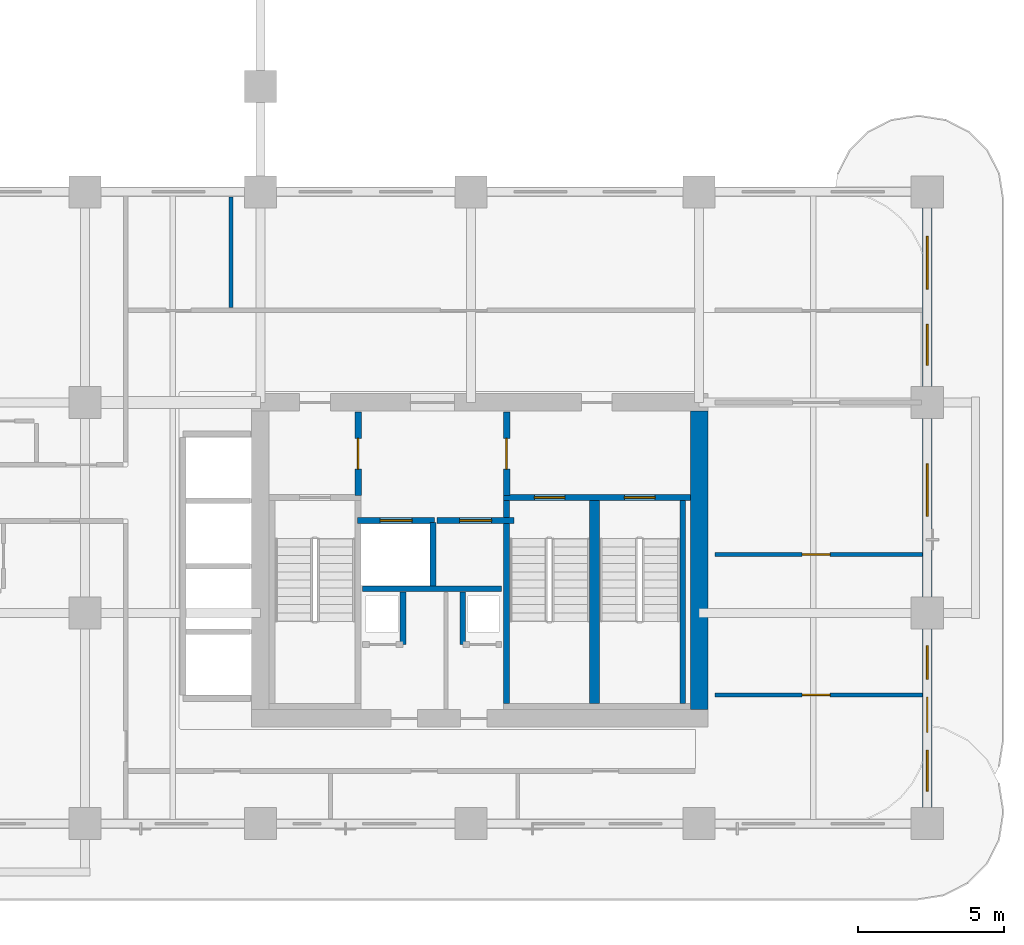
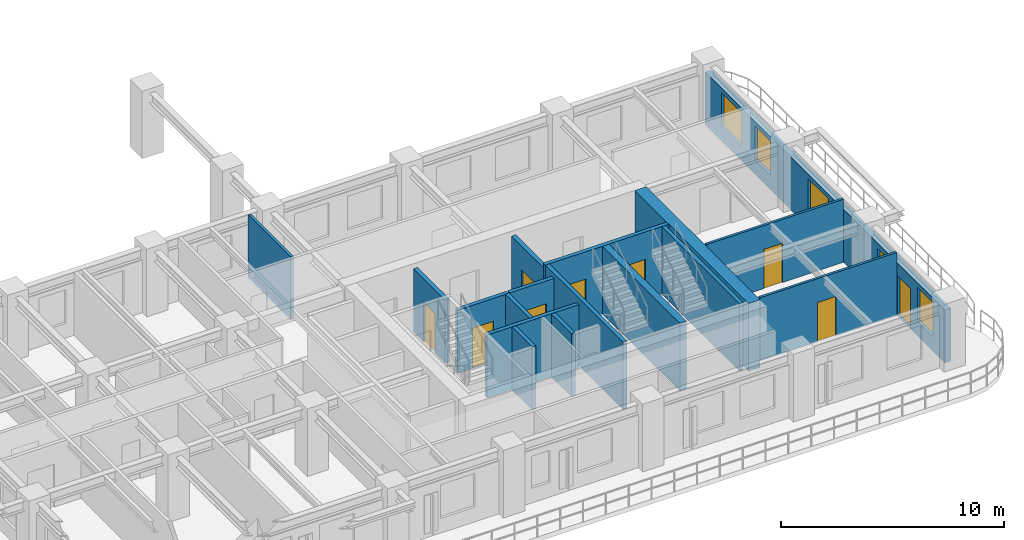
# One storey, part 9 of 19: 17 walls, 9 doors, 5 windows, 14 openings.
"""IFC4 building model written with IfcOpenShell, lengths in metres."""

import ifcopenshell
import ifcopenshell.guid

model = None  # the IFC model being written
_history = None  # IfcOwnerHistory: only IFC2X3 demands one
_inside = {}  # id of a spatial element -> (the spatial element, [elements in it])
_under = {}  # id of a project, library or spatial element -> (it, [spatial elements below it])
_declared = {}  # id of a project -> (the project, [libraries it declares])
_typed = {}  # id of a type object -> (the type object, [elements of that type])
_made_of = {}  # id of a material, layer set ... -> (it, [elements and type objects made of it])


def new_model(schema):
    """Start an empty IFC model of exactly this schema.

    Asked for "IFC4X3", IfcOpenShell would pick the latest addendum, in which some entities
    have other attributes; the version numbers below select the first issue.
    IFC2X3 requires an IfcOwnerHistory on every rooted entity: one is made here for all.
    """
    global model, _history
    if schema == "IFC4X3":
        model = ifcopenshell.file(schema_version=(4, 3, 0, 0))
    else:
        model = ifcopenshell.file(schema=schema)
    _inside.clear()
    _under.clear()
    _declared.clear()
    _typed.clear()
    _made_of.clear()
    _history = None
    if model.schema == "IFC2X3":
        org = make("IfcOrganization", Name="unknown")
        user = make(
            "IfcPersonAndOrganization",
            ThePerson=make("IfcPerson", FamilyName="unknown"),
            TheOrganization=org,
        )
        app = make(
            "IfcApplication",
            ApplicationDeveloper=org,
            Version="unknown",
            ApplicationFullName="unknown",
            ApplicationIdentifier="unknown",
        )
        _history = make(
            "IfcOwnerHistory",
            OwningUser=user,
            OwningApplication=app,
            ChangeAction="ADDED",
            CreationDate=0,
        )
    return model


def make(cls, **values):
    """One entity of the class cls with the attributes given. An attribute that is None is left unset."""
    return model.create_entity(
        cls, **{name: value for name, value in values.items() if value is not None}
    )


def rooted(cls, **values):
    """An entity with a GlobalId (a new one), such as an element, a storey or a relation."""
    return make(cls, GlobalId=ifcopenshell.guid.new(), OwnerHistory=_history, **values)


def si_unit(unit_type, name, prefix=None):
    """IfcSIUnit, for example si_unit("LENGTHUNIT", "METRE", prefix="MILLI")."""
    return make("IfcSIUnit", UnitType=unit_type, Prefix=prefix, Name=name)


def derived_unit(unit_type, elements):
    """IfcDerivedUnit: a product of units, each with its exponent."""
    return make(
        "IfcDerivedUnit",
        Elements=[
            make("IfcDerivedUnitElement", Unit=unit, Exponent=power)
            for unit, power in elements
        ],
        UnitType=unit_type,
    )


def assignment(units):
    """IfcUnitAssignment: the units of a project."""
    return None if units is None else make("IfcUnitAssignment", Units=units)


def point(xyz):
    """IfcCartesianPoint."""
    return None if xyz is None else make("IfcCartesianPoint", Coordinates=xyz)


def direction(xyz):
    """IfcDirection."""
    return None if xyz is None else make("IfcDirection", DirectionRatios=xyz)


def frame(location, z_axis=None, x_axis=None):
    """IfcAxis2Placement3D, a coordinate frame: its origin and axes. An axis left out is left unset."""
    return make(
        "IfcAxis2Placement3D",
        Location=point(location),
        Axis=direction(z_axis),
        RefDirection=direction(x_axis),
    )


def frame_2d(location, x_axis=None):
    """IfcAxis2Placement2D, a coordinate frame in the plane: its origin and x axis."""
    return make(
        "IfcAxis2Placement2D", Location=point(location), RefDirection=direction(x_axis)
    )


def origin():
    """The frame at (0, 0, 0) with its axes left unset."""
    return frame((0.0, 0.0, 0.0))


def place(relative_to, where):
    """IfcLocalPlacement: puts the frame where relative to a parent placement (None: the world)."""
    return make(
        "IfcLocalPlacement", PlacementRelTo=relative_to, RelativePlacement=where
    )


def context(
    kind, dimensions, precision=None, world=None, true_north=None, identifier=None
):
    """IfcGeometricRepresentationContext, for example the 3D "Model" context."""
    return make(
        "IfcGeometricRepresentationContext",
        ContextIdentifier=identifier,
        ContextType=kind,
        CoordinateSpaceDimension=dimensions,
        Precision=precision,
        WorldCoordinateSystem=world,
        TrueNorth=true_north,
    )


def subcontext(parent, identifier, kind, view, scale=None):
    """IfcGeometricRepresentationSubContext, for example "Body" below "Model"."""
    return make(
        "IfcGeometricRepresentationSubContext",
        ContextIdentifier=identifier,
        ContextType=kind,
        ParentContext=parent,
        TargetScale=scale,
        TargetView=view,
    )


def project(units=None, contexts=None):
    """IfcProject with its units and contexts."""
    return rooted(
        "IfcProject",
        Name="project",
        RepresentationContexts=contexts,
        UnitsInContext=assignment(units),
    )


def spatial(cls, under=None, at=None, **own):
    """A site, building, storey or space (cls), placed at a placement, below another one or the project."""
    s = rooted(cls, ObjectPlacement=at, **own)
    if under is not None:
        _under.setdefault(under.id(), (under, []))[1].append(s)
    return s


def profile(cls, at=None, kind="AREA", **sizes):
    """A parametric profile (cls). Its sizes go by their IFC names, for example OverallWidth=200.0."""
    return make(cls, ProfileType=kind, Position=at, **sizes)


def rectangle(**sizes):
    """IfcRectangleProfileDef."""
    return profile("IfcRectangleProfileDef", **sizes)


def extrude(swept, where, along, depth):
    """IfcExtrudedAreaSolid: the profile swept, set in the frame where, extruded along a direction by depth."""
    return make(
        "IfcExtrudedAreaSolid",
        SweptArea=swept,
        Position=where,
        ExtrudedDirection=direction(along),
        Depth=depth,
    )


def shape(context_of_items, identifier, shape_type, items):
    """IfcShapeRepresentation: the items that make up one representation, for example the "Body"."""
    return make(
        "IfcShapeRepresentation",
        ContextOfItems=context_of_items,
        RepresentationIdentifier=identifier,
        RepresentationType=shape_type,
        Items=items,
    )


def source(mapping_origin, context_of_items, identifier, shape_type, items):
    """IfcRepresentationMap: a shape defined once, which mapped items show again and again."""
    return make(
        "IfcRepresentationMap",
        MappingOrigin=mapping_origin,
        MappedRepresentation=shape(context_of_items, identifier, shape_type, items),
    )


def transform(
    local_origin,
    x_axis=None,
    y_axis=None,
    z_axis=None,
    scale=None,
    scale2=None,
    scale3=None,
    uniform=True,
):
    """IfcCartesianTransformationOperator3D, or its non-uniform kind. x_axis, y_axis, z_axis: its Axis1, 2, 3."""
    if uniform:
        return make(
            "IfcCartesianTransformationOperator3D",
            Axis1=direction(x_axis),
            Axis2=direction(y_axis),
            LocalOrigin=point(local_origin),
            Scale=scale,
            Axis3=direction(z_axis),
        )
    return make(
        "IfcCartesianTransformationOperator3DnonUniform",
        Axis1=direction(x_axis),
        Axis2=direction(y_axis),
        LocalOrigin=point(local_origin),
        Scale=scale,
        Axis3=direction(z_axis),
        Scale2=scale2,
        Scale3=scale3,
    )


def mapped(mapping_source, mapping_target):
    """IfcMappedItem: shows the shape of a source again, moved by a transform."""
    return make(
        "IfcMappedItem", MappingSource=mapping_source, MappingTarget=mapping_target
    )


def material(Name=None, Category=None):
    """IfcMaterial."""
    return make("IfcMaterial", Name=Name, Category=Category)


def layer(
    of_material, thickness, ventilated=None, Name=None, Category=None, Priority=None
):
    """IfcMaterialLayer: one layer of a wall or slab, of a material (None: an air gap)."""
    return make(
        "IfcMaterialLayer",
        Material=of_material,
        LayerThickness=thickness,
        IsVentilated=ventilated,
        Name=Name,
        Category=Category,
        Priority=Priority,
    )


def layer_set(layers, Name=None):
    """IfcMaterialLayerSet."""
    return make("IfcMaterialLayerSet", MaterialLayers=layers, LayerSetName=Name)


def made_of(thing, what):
    """Note that an element or type object is made of a material, layer set ...; save() writes the relation."""
    if what is not None:
        _made_of.setdefault(what.id(), (what, []))[1].append(thing)
    return thing


def type_object(cls, material=None, **own):
    """A type object (cls), such as IfcWallType, which elements share."""
    return made_of(rooted(cls, **own), material)


def type_shapes(of_type, sources):
    """Give a type object the sources (RepresentationMaps) that its elements show as mapped items."""
    of_type.RepresentationMaps = sources


def element(
    cls,
    number,
    at=None,
    inside=None,
    cuts=None,
    type_object=None,
    material=None,
    context=None,
    identifier="Body",
    shape_type=None,
    held_by="IfcProductDefinitionShape",
    body=None,
    shapes=None,
    **own,
):
    """One element of the class cls, such as IfcWall. Its Tag is "e" and its number.

    at: its placement. inside: the storey or other place that contains it. cuts: it is an
    opening in that element (IfcRelVoidsElement). A single representation is given by context,
    identifier, shape_type and body (its items); several are given by shapes. held_by: the class
    of the entity that holds the representations. save() writes the other relations.
    """
    e = rooted(cls, Tag="e%d" % number, ObjectPlacement=at, **own)
    if body is not None:
        shapes = [shape(context, identifier, shape_type, body)]
    if shapes is not None:
        e.Representation = make(held_by, Representations=shapes)
    if inside is not None:
        _inside.setdefault(inside.id(), (inside, []))[1].append(e)
    if cuts is not None:
        rooted(
            "IfcRelVoidsElement", RelatingBuildingElement=cuts, RelatedOpeningElement=e
        )
    if type_object is not None:
        _typed.setdefault(type_object.id(), (type_object, []))[1].append(e)
    return made_of(e, material)


def fill(opening, filler):
    """IfcRelFillsElement: the door or window that sits in an opening."""
    return rooted(
        "IfcRelFillsElement",
        RelatingOpeningElement=opening,
        RelatedBuildingElement=filler,
    )


def aggregate(whole, parts):
    """IfcRelAggregates: a whole, such as a stair, and the parts it consists of."""
    return rooted("IfcRelAggregates", RelatingObject=whole, RelatedObjects=parts)


def save(model, path):
    """Write the relations noted so far, then the file.

    IfcRelAggregates (storeys below a building ...), IfcRelContainedInSpatialStructure (elements
    in a storey), IfcRelDefinesByType, IfcRelAssociatesMaterial and IfcRelDeclares: one each for
    every whole, place, type object, material and project.
    """
    for whole, parts in _under.values():
        aggregate(whole, parts)
    for where, things in _inside.values():
        rooted(
            "IfcRelContainedInSpatialStructure",
            RelatedElements=things,
            RelatingStructure=where,
        )
    for kind, things in _typed.values():
        rooted("IfcRelDefinesByType", RelatedObjects=things, RelatingType=kind)
    for what, things in _made_of.values():
        rooted("IfcRelAssociatesMaterial", RelatedObjects=things, RelatingMaterial=what)
    for by, libraries in _declared.values():
        rooted("IfcRelDeclares", RelatingContext=by, RelatedDefinitions=libraries)
    model.write(path)


model = new_model("IFC4")

# Units and contexts
model_context = context("Model", 3, precision=1e-05, world=origin(), true_north=direction((0.0, 1.0)))
body_context = subcontext(model_context, "Body", "Model", "MODEL_VIEW")
ifc_project = project(units=[si_unit("LENGTHUNIT", "METRE"), si_unit("AREAUNIT", "SQUARE_METRE"), si_unit("VOLUMEUNIT", "CUBIC_METRE"), si_unit("PLANEANGLEUNIT", "RADIAN"), si_unit("MASSUNIT", "GRAM", prefix="KILO"), si_unit("THERMODYNAMICTEMPERATUREUNIT", "KELVIN"), si_unit("POWERUNIT", "WATT"), derived_unit("THERMALTRANSMITTANCEUNIT", [(si_unit("POWERUNIT", "WATT"), 1), (si_unit("AREAUNIT", "SQUARE_METRE"), -1), (si_unit("THERMODYNAMICTEMPERATUREUNIT", "KELVIN"), -1)])], contexts=[model_context])

# Site, building, storey
site_placement = place(None, origin())
site = spatial("IfcSite", under=ifc_project, at=site_placement, CompositionType="ELEMENT")
building_placement = place(site_placement, origin())
building = spatial("IfcBuilding", under=site, at=building_placement, Name="Zahravan Archway Hotel and Residences", CompositionType="ELEMENT")
storey_placement = place(building_placement, frame((0.0, 0.0, 54.60009765625)))
storey = spatial("IfcBuildingStorey", under=building, at=storey_placement, Name="L12", CompositionType="ELEMENT", Elevation=54.60009765625)

# Wall
ifc_material_1 = material(Name="Concrete C70/85", Category="concrete")
ifc_layer_1 = layer(ifc_material_1, 0.60009765625, Name="Concrete C70/85", Category="concrete")
ifc_layer_set_1 = layer_set([ifc_layer_1], Name="Concrete C70/85")
wall_type_1 = type_object("IfcWallType", Name="CW-CORE-600", PredefinedType="SHEAR", material=ifc_layer_set_1)
wall_1_placement = place(storey_placement, frame((49.800048828125, 3.89990234375, 0.0), z_axis=(0.0, 0.0, 1.0), x_axis=(0.0, 1.0, 0.0)))
element("IfcWall", 1, at=wall_1_placement, inside=storey, type_object=wall_type_1, Name="L12 Core A Shear E Wall 600 mm", PredefinedType="SHEAR", context=body_context, shape_type="SweptSolid", body=[
    extrude(rectangle(XDim=10.2001953125, YDim=0.60009765625, at=frame_2d((5.10009765625, 0.0))), origin(), (0.0, 0.0, 1.0), 3.699951171875),
])

# Wall, openings, door, windows
ifc_material_2 = material(Name="Agra Buff Sandstone & Insulated Backup", Category="masonry")
ifc_layer_2 = layer(ifc_material_2, 0.320068359375, Name="Agra Buff Sandstone & Insulated Backup", Category="masonry")
ifc_layer_set_2 = layer_set([ifc_layer_2], Name="Agra Buff Sandstone & Insulated Backup")
wall_type_2 = type_object("IfcWallType", Name="EW-SAND-320", PredefinedType="SOLIDWALL", material=ifc_layer_set_2)
wall_2_placement = place(storey_placement, frame((57.60009765625, 0.050048828125, 0.0), z_axis=(0.0, 0.0, 1.0), x_axis=(0.0, 1.0, 0.0)))
wall_2 = element("IfcWall", 2, at=wall_2_placement, inside=storey, type_object=wall_type_2, Name="L12 Exterior Sandstone Wall WA-E", PredefinedType="SOLIDWALL", context=body_context, shape_type="SweptSolid", body=[
    extrude(rectangle(XDim=21.5, YDim=0.320068359375, at=frame_2d((10.75, 0.0))), origin(), (0.0, 0.0, 1.0), 2.885009765625),
])
opening_1_placement = place(wall_2_placement, frame((3.072021484375, 0.0, 0.0)))
opening_1 = element("IfcOpeningElement", 3, at=opening_1_placement, cuts=wall_2, Name="Opening ED-BL1", PredefinedType="OPENING", context=body_context, shape_type="SweptSolid", body=[
    extrude(rectangle(XDim=1.199951171875, YDim=2.199951171875, at=frame_2d((0.60009765625, 1.10009765625))), frame((0.0, 0.169921875, 0.0), z_axis=(0.0, -1.0, 0.0), x_axis=(1.0, 0.0, 0.0)), (0.0, 0.0, 1.0), 0.340087890625),
])
opening_2_placement = place(wall_2_placement, frame((1.06103515625, 0.0, 0.800048828125)))
opening_2 = element("IfcOpeningElement", 4, at=opening_2_placement, cuts=wall_2, Name="Opening W-03", PredefinedType="OPENING", context=body_context, shape_type="SweptSolid", body=[
    extrude(rectangle(XDim=1.39990234375, YDim=1.85009765625, at=frame_2d((0.699951171875, 0.925048828125))), frame((0.0, 0.169921875, 0.0), z_axis=(0.0, -1.0, 0.0), x_axis=(1.0, 0.0, 0.0)), (0.0, 0.0, 1.0), 0.340087890625),
])
opening_3_placement = place(wall_2_placement, frame((4.885986328125, 0.0, 0.800048828125)))
opening_3 = element("IfcOpeningElement", 5, at=opening_3_placement, cuts=wall_2, Name="Opening W-05", PredefinedType="OPENING", context=body_context, shape_type="SweptSolid", body=[
    extrude(rectangle(XDim=1.14990234375, YDim=1.800048828125, at=frame_2d((0.574951171875, 0.89990234375))), frame((0.0, 0.169921875, 0.0), z_axis=(0.0, -1.0, 0.0), x_axis=(1.0, 0.0, 0.0)), (0.0, 0.0, 1.0), 0.340087890625),
])
opening_4_placement = place(wall_2_placement, frame((10.4541015625, 0.0, 0.800048828125)))
opening_4 = element("IfcOpeningElement", 6, at=opening_4_placement, cuts=wall_2, Name="Opening W-02", PredefinedType="OPENING", context=body_context, shape_type="SweptSolid", body=[
    extrude(rectangle(XDim=1.800048828125, YDim=1.85009765625, at=frame_2d((0.89990234375, 0.925048828125))), frame((0.0, 0.169921875, 0.0), z_axis=(0.0, -1.0, 0.0), x_axis=(1.0, 0.0, 0.0)), (0.0, 0.0, 1.0), 0.340087890625),
])
opening_5_placement = place(wall_2_placement, frame((15.62109375, 0.0, 0.800048828125)))
opening_5 = element("IfcOpeningElement", 7, at=opening_5_placement, cuts=wall_2, Name="Opening W-03", PredefinedType="OPENING", context=body_context, shape_type="SweptSolid", body=[
    extrude(rectangle(XDim=1.39990234375, YDim=1.85009765625, at=frame_2d((0.699951171875, 0.925048828125))), frame((0.0, 0.169921875, 0.0), z_axis=(0.0, -1.0, 0.0), x_axis=(1.0, 0.0, 0.0)), (0.0, 0.0, 1.0), 0.340087890625),
])
opening_6_placement = place(wall_2_placement, frame((18.22900390625, 0.0, 0.800048828125)))
opening_6 = element("IfcOpeningElement", 8, at=opening_6_placement, cuts=wall_2, Name="Opening W-02", PredefinedType="OPENING", context=body_context, shape_type="SweptSolid", body=[
    extrude(rectangle(XDim=1.800048828125, YDim=1.85009765625, at=frame_2d((0.89990234375, 0.925048828125))), frame((0.0, 0.169921875, 0.0), z_axis=(0.0, -1.0, 0.0), x_axis=(1.0, 0.0, 0.0)), (0.0, 0.0, 1.0), 0.340087890625),
])
ifc_material_3 = material(Name="Bronze-Anodized Glazed Aluminium", Category="aluminium")
door_type_1 = type_object("IfcDoorType", Name="ED-BALC-1200", OperationType="SLIDING_TO_LEFT", PredefinedType="DOOR", material=ifc_material_3)
shared_shape_1 = source(origin(), body_context, "Body", "SweptSolid", [
    extrude(rectangle(XDim=1.199951171875, YDim=2.199951171875, at=frame_2d((0.60009765625, 1.10009765625))), frame((0.0, 0.02490234375, 0.0), z_axis=(0.0, -1.0, 0.0), x_axis=(1.0, 0.0, 0.0)), (0.0, 0.0, 1.0), 0.050048828125),
])
type_shapes(door_type_1, [shared_shape_1])
door_1_placement = place(opening_1_placement, origin())
door_1 = element("IfcDoor", 9, at=door_1_placement, inside=storey, type_object=door_type_1, Name="L12 Outdoor Access Sliding Door (SLB-BAL-L12-EA)", OperationType="SLIDING_TO_LEFT", OverallHeight=2.199951171875, OverallWidth=1.199951171875, PredefinedType="DOOR", context=body_context, shape_type="MappedRepresentation", body=[
    mapped(shared_shape_1, transform((0.0, 0.0, 0.0), scale=1.0)),
])
fill(opening_1, door_1)
ifc_material_4 = material(Name="Bronze-Anodized Thermal-Break Aluminium & Low-E Glass", Category="aluminium")
window_type_1 = type_object("IfcWindowType", Name="WIN-TWR-1400", PartitioningType="SINGLE_PANEL", PredefinedType="WINDOW", material=ifc_material_4)
shared_shape_2 = source(origin(), body_context, "Body", "SweptSolid", [
    extrude(rectangle(XDim=1.39990234375, YDim=1.85009765625, at=frame_2d((0.699951171875, 0.925048828125))), frame((0.0, 0.030029296875, 0.0), z_axis=(0.0, -1.0, 0.0), x_axis=(1.0, 0.0, 0.0)), (0.0, 0.0, 1.0), 0.06005859375),
])
type_shapes(window_type_1, [shared_shape_2])
window_1_placement = place(opening_2_placement, origin())
window_1 = element("IfcWindow", 10, at=window_1_placement, inside=storey, type_object=window_type_1, Name="L12 Loggia Window 11", OverallHeight=1.85009765625, OverallWidth=1.39990234375, PartitioningType="SINGLE_PANEL", PredefinedType="WINDOW", context=body_context, shape_type="MappedRepresentation", body=[
    mapped(shared_shape_2, transform((0.0, 0.0, 0.0), scale=1.0)),
])
fill(opening_2, window_1)
window_2_placement = place(opening_5_placement, origin())
window_2 = element("IfcWindow", 11, at=window_2_placement, inside=storey, type_object=window_type_1, Name="L12 Loggia Window 14", OverallHeight=1.85009765625, OverallWidth=1.39990234375, PartitioningType="SINGLE_PANEL", PredefinedType="WINDOW", context=body_context, shape_type="MappedRepresentation", body=[
    mapped(shared_shape_2, transform((0.0, 0.0, 0.0), scale=1.0)),
])
fill(opening_5, window_2)
window_type_2 = type_object("IfcWindowType", Name="WIN-TWR-1800", PartitioningType="DOUBLE_PANEL_VERTICAL", PredefinedType="WINDOW", material=ifc_material_4)
shared_shape_3 = source(origin(), body_context, "Body", "SweptSolid", [
    extrude(rectangle(XDim=1.800048828125, YDim=1.85009765625, at=frame_2d((0.89990234375, 0.925048828125))), frame((0.0, 0.030029296875, 0.0), z_axis=(0.0, -1.0, 0.0), x_axis=(1.0, 0.0, 0.0)), (0.0, 0.0, 1.0), 0.06005859375),
])
type_shapes(window_type_2, [shared_shape_3])
window_3_placement = place(opening_4_placement, origin())
window_3 = element("IfcWindow", 12, at=window_3_placement, inside=storey, type_object=window_type_2, Name="L12 Loggia Window 13", OverallHeight=1.85009765625, OverallWidth=1.800048828125, PartitioningType="DOUBLE_PANEL_VERTICAL", PredefinedType="WINDOW", context=body_context, shape_type="MappedRepresentation", body=[
    mapped(shared_shape_3, transform((0.0, 0.0, 0.0), scale=1.0)),
])
fill(opening_4, window_3)
window_4_placement = place(opening_6_placement, origin())
window_4 = element("IfcWindow", 13, at=window_4_placement, inside=storey, type_object=window_type_2, Name="L12 Loggia Window 15", OverallHeight=1.85009765625, OverallWidth=1.800048828125, PartitioningType="DOUBLE_PANEL_VERTICAL", PredefinedType="WINDOW", context=body_context, shape_type="MappedRepresentation", body=[
    mapped(shared_shape_3, transform((0.0, 0.0, 0.0), scale=1.0)),
])
fill(opening_6, window_4)
window_type_3 = type_object("IfcWindowType", Name="WIN-TWR-1150", PartitioningType="SINGLE_PANEL", PredefinedType="WINDOW", material=ifc_material_4)
shared_shape_4 = source(origin(), body_context, "Body", "SweptSolid", [
    extrude(rectangle(XDim=1.14990234375, YDim=1.800048828125, at=frame_2d((0.574951171875, 0.89990234375))), frame((0.0, 0.030029296875, 0.0), z_axis=(0.0, -1.0, 0.0), x_axis=(1.0, 0.0, 0.0)), (0.0, 0.0, 1.0), 0.06005859375),
])
type_shapes(window_type_3, [shared_shape_4])
window_5_placement = place(opening_3_placement, origin())
window_5 = element("IfcWindow", 14, at=window_5_placement, inside=storey, type_object=window_type_3, Name="L12 Loggia Window 12", OverallHeight=1.800048828125, OverallWidth=1.14990234375, PartitioningType="SINGLE_PANEL", PredefinedType="WINDOW", context=body_context, shape_type="MappedRepresentation", body=[
    mapped(shared_shape_4, transform((0.0, 0.0, 0.0), scale=1.0)),
])
fill(opening_3, window_5)

# Wall, opening, door
ifc_material_5 = material(Name="Fire-Rated Gypsum & Concrete Block", Category="concrete")
ifc_layer_3 = layer(ifc_material_5, 0.219970703125, Name="Fire-Rated Gypsum & Concrete Block", Category="concrete")
ifc_layer_set_3 = layer_set([ifc_layer_3], Name="Fire-Rated Gypsum & Concrete Block")
wall_type_3 = type_object("IfcWallType", Name="PW-COMP-220", PredefinedType="PARTITIONING", material=ifc_layer_set_3)
wall_3_placement = place(storey_placement, frame((38.139892578125, 11.219970703125, 0.0), z_axis=(0.0, 0.0, 1.0), x_axis=(0.0, 1.0, 0.0)))
wall_3 = element("IfcWall", 15, at=wall_3_placement, inside=storey, type_object=wall_type_3, Name="L12 Partition CA-LOBW", PredefinedType="PARTITIONING", context=body_context, shape_type="SweptSolid", body=[
    extrude(rectangle(XDim=2.860107421875, YDim=0.219970703125, at=frame_2d((1.43017578125, 0.0))), origin(), (0.0, 0.0, 1.0), 3.449951171875),
])
opening_7_placement = place(wall_3_placement, frame((0.905029296875, 0.0, 0.0)))
opening_7 = element("IfcOpeningElement", 16, at=opening_7_placement, cuts=wall_3, Name="Opening FD-L2", PredefinedType="OPENING", context=body_context, shape_type="SweptSolid", body=[
    extrude(rectangle(XDim=1.050048828125, YDim=2.14990234375, at=frame_2d((0.52490234375, 1.074951171875))), frame((0.0, 0.1201171875, 0.0), z_axis=(0.0, -1.0, 0.0), x_axis=(1.0, 0.0, 0.0)), (0.0, 0.0, 1.0), 0.239990234375),
])
ifc_material_6 = material(Name="Fire-Rated Painted Steel", Category="steel")
door_type_2 = type_object("IfcDoorType", Name="FD-LOBBY-1100", OperationType="NOTDEFINED", PredefinedType="DOOR", material=ifc_material_6)
shared_shape_5 = source(origin(), body_context, "Body", "SweptSolid", [
    extrude(rectangle(XDim=1.050048828125, YDim=2.14990234375, at=frame_2d((0.52490234375, 1.074951171875))), frame((0.0, 0.02490234375, 0.0), z_axis=(0.0, -1.0, 0.0), x_axis=(1.0, 0.0, 0.0)), (0.0, 0.0, 1.0), 0.050048828125),
])
type_shapes(door_type_2, [shared_shape_5])
door_2_placement = place(opening_7_placement, origin())
door_2 = element("IfcDoor", 17, at=door_2_placement, inside=storey, type_object=door_type_2, Name="L12 Core A West Stair to FSAE Lobby Door", OperationType="SINGLE_SWING_RIGHT", OverallHeight=2.14990234375, OverallWidth=1.050048828125, PredefinedType="DOOR", context=body_context, shape_type="MappedRepresentation", body=[
    mapped(shared_shape_5, transform((0.0, 0.0, 0.0), scale=1.0)),
])
fill(opening_7, door_2)

wall_4_placement = place(storey_placement, frame((43.219970703125, 11.219970703125, 0.0), z_axis=(0.0, 0.0, 1.0), x_axis=(0.0, 1.0, 0.0)))
wall_4 = element("IfcWall", 18, at=wall_4_placement, inside=storey, type_object=wall_type_3, Name="L12 Partition CA-LOBE", PredefinedType="PARTITIONING", context=body_context, shape_type="SweptSolid", body=[
    extrude(rectangle(XDim=2.860107421875, YDim=0.219970703125, at=frame_2d((1.43017578125, 0.0))), origin(), (0.0, 0.0, 1.0), 3.449951171875),
])
opening_8_placement = place(wall_4_placement, frame((0.905029296875, 0.0, 0.0)))
opening_8 = element("IfcOpeningElement", 19, at=opening_8_placement, cuts=wall_4, Name="Opening FD-L2", PredefinedType="OPENING", context=body_context, shape_type="SweptSolid", body=[
    extrude(rectangle(XDim=1.050048828125, YDim=2.14990234375, at=frame_2d((0.52490234375, 1.074951171875))), frame((0.0, 0.1201171875, 0.0), z_axis=(0.0, -1.0, 0.0), x_axis=(1.0, 0.0, 0.0)), (0.0, 0.0, 1.0), 0.239990234375),
])
door_3_placement = place(opening_8_placement, origin())
door_3 = element("IfcDoor", 20, at=door_3_placement, inside=storey, type_object=door_type_2, Name="L12 Core A East Stair to FSAE Lobby Door", OperationType="SINGLE_SWING_LEFT", OverallHeight=2.14990234375, OverallWidth=1.050048828125, PredefinedType="DOOR", context=body_context, shape_type="MappedRepresentation", body=[
    mapped(shared_shape_5, transform((0.0, 0.0, 0.0), scale=1.0)),
])
fill(opening_8, door_3)

ifc_material_7 = material(Name="Acoustic Stud Partition")
ifc_layer_4 = layer(ifc_material_7, 0.125, Name="Acoustic Stud Partition")
ifc_layer_set_4 = layer_set([ifc_layer_4], Name="Acoustic Stud Partition")
wall_type_4 = type_object("IfcWallType", Name="PW-INT-125", PredefinedType="PARTITIONING", material=ifc_layer_set_4)
wall_5_placement = place(storey_placement, frame((50.340087890625, 9.199951171875, 0.0), z_axis=(0.0, 0.0, 1.0), x_axis=(1.0, 0.0, 0.0)))
wall_5 = element("IfcWall", 21, at=wall_5_placement, inside=storey, type_object=wall_type_4, Name="L12 Partition EA-EH1", PredefinedType="PARTITIONING", context=body_context, shape_type="SweptSolid", body=[
    extrude(rectangle(XDim=7.091796875, YDim=0.125, at=frame_2d((3.5458984375, 0.0))), origin(), (0.0, 0.0, 1.0), 3.449951171875),
])
opening_9_placement = place(wall_5_placement, frame((2.985107421875, 0.0, 0.0)))
opening_9 = element("IfcOpeningElement", 22, at=opening_9_placement, cuts=wall_5, Name="Opening D-I1", PredefinedType="OPENING", context=body_context, shape_type="SweptSolid", body=[
    extrude(rectangle(XDim=0.949951171875, YDim=2.14990234375, at=frame_2d((0.47509765625, 1.074951171875))), frame((0.0, 0.072509765625, 0.0), z_axis=(0.0, -1.0, 0.0), x_axis=(1.0, 0.0, 0.0)), (0.0, 0.0, 1.0), 0.14501953125),
])
ifc_material_8 = material(Name="Hardwood Veneer Timber", Category="wood")
door_type_3 = type_object("IfcDoorType", Name="ID-INT-950", OperationType="NOTDEFINED", PredefinedType="DOOR", material=ifc_material_8)
shared_shape_6 = source(origin(), body_context, "Body", "SweptSolid", [
    extrude(rectangle(XDim=0.949951171875, YDim=2.14990234375, at=frame_2d((0.47509765625, 1.074951171875))), frame((0.0, 0.02490234375, 0.0), z_axis=(0.0, -1.0, 0.0), x_axis=(1.0, 0.0, 0.0)), (0.0, 0.0, 1.0), 0.050048828125),
])
type_shapes(door_type_3, [shared_shape_6])
door_4_placement = place(opening_9_placement, origin())
door_4 = element("IfcDoor", 23, at=door_4_placement, inside=storey, type_object=door_type_3, Name="L12 East Study Lounge Door", OperationType="SINGLE_SWING_LEFT", OverallHeight=2.14990234375, OverallWidth=0.949951171875, PredefinedType="DOOR", context=body_context, shape_type="MappedRepresentation", body=[
    mapped(shared_shape_6, transform((0.0, 0.0, 0.0), scale=1.0)),
])
fill(opening_9, door_4)

wall_6_placement = place(storey_placement, frame((50.340087890625, 4.39990234375, 0.0), z_axis=(0.0, 0.0, 1.0), x_axis=(1.0, 0.0, 0.0)))
wall_6 = element("IfcWall", 24, at=wall_6_placement, inside=storey, type_object=wall_type_4, Name="L12 Partition EA-EH2", PredefinedType="PARTITIONING", context=body_context, shape_type="SweptSolid", body=[
    extrude(rectangle(XDim=7.091796875, YDim=0.125, at=frame_2d((3.5458984375, 0.0))), origin(), (0.0, 0.0, 1.0), 3.449951171875),
])
opening_10_placement = place(wall_6_placement, frame((2.985107421875, 0.0, 0.0)))
opening_10 = element("IfcOpeningElement", 25, at=opening_10_placement, cuts=wall_6, Name="Opening D-I1", PredefinedType="OPENING", context=body_context, shape_type="SweptSolid", body=[
    extrude(rectangle(XDim=0.949951171875, YDim=2.14990234375, at=frame_2d((0.47509765625, 1.074951171875))), frame((0.0, 0.072509765625, 0.0), z_axis=(0.0, -1.0, 0.0), x_axis=(1.0, 0.0, 0.0)), (0.0, 0.0, 1.0), 0.14501953125),
])
door_5_placement = place(opening_10_placement, origin())
door_5 = element("IfcDoor", 26, at=door_5_placement, inside=storey, type_object=door_type_3, Name="L12 East Clinic Consult Door", OperationType="SINGLE_SWING_RIGHT", OverallHeight=2.14990234375, OverallWidth=0.949951171875, PredefinedType="DOOR", context=body_context, shape_type="MappedRepresentation", body=[
    mapped(shared_shape_6, transform((0.0, 0.0, 0.0), scale=1.0)),
])
fill(opening_10, door_5)

# Walls
ifc_layer_5 = layer(ifc_material_5, 0.199951171875, Name="Fire-Rated Gypsum & Concrete Block", Category="concrete")
ifc_layer_set_5 = layer_set([ifc_layer_5], Name="Fire-Rated Gypsum & Concrete Block")
wall_type_5 = type_object("IfcWallType", Name="PW-SHAFT-200", PredefinedType="PARTITIONING", material=ifc_layer_set_5)
wall_7_placement = place(storey_placement, frame((38.300048828125, 8.030029296875, 0.0), z_axis=(0.0, 0.0, 1.0), x_axis=(1.0, 0.0, 0.0)))
element("IfcWall", 27, at=wall_7_placement, inside=storey, type_object=wall_type_5, Name="L12 Partition CA-FLS", PredefinedType="PARTITIONING", context=body_context, shape_type="SweptSolid", body=[
    extrude(rectangle(XDim=4.739990234375, YDim=0.199951171875, at=frame_2d((2.3701171875, 0.0))), origin(), (0.0, 0.0, 1.0), 3.449951171875),
])
wall_8_placement = place(storey_placement, frame((40.699951171875, 8.1201171875, 0.0), z_axis=(0.0, 0.0, 1.0), x_axis=(0.0, 1.0, 0.0)))
element("IfcWall", 28, at=wall_8_placement, inside=storey, type_object=wall_type_5, Name="L12 Partition CA-FLM", PredefinedType="PARTITIONING", context=body_context, shape_type="SweptSolid", body=[
    extrude(rectangle(XDim=2.179931640625, YDim=0.199951171875, at=frame_2d((1.08984375, 0.0))), origin(), (0.0, 0.0, 1.0), 3.449951171875),
])
for number, where, z_axis, x_axis, name in (
    (29, (39.679931640625, 6.1298828125, 0.0), (0.0, 0.0, 1.0), (0.0, 1.0, 0.0), "L12 Partition CA-SMKE"),
    (30, (41.719970703125, 6.1298828125, 0.0), (0.0, 0.0, 1.0), (0.0, 1.0, 0.0), "L12 Partition CA-MEPW"),
):
    element("IfcWall", number, at=place(storey_placement, frame(where, z_axis=z_axis, x_axis=x_axis)), inside=storey, type_object=wall_type_5, Name=name, PredefinedType="PARTITIONING", context=body_context, shape_type="SweptSolid", body=[
        extrude(rectangle(XDim=1.7900390625, YDim=0.199951171875, at=frame_2d((0.89501953125, 0.0))), origin(), (0.0, 0.0, 1.0), 3.449951171875),
    ])

# Wall, opening, door
wall_9_placement = place(storey_placement, frame((38.1201171875, 10.3701171875, 0.0), z_axis=(0.0, 0.0, 1.0), x_axis=(1.0, 0.0, 0.0)))
wall_9 = element("IfcWall", 31, at=wall_9_placement, inside=storey, type_object=wall_type_5, Name="L12 Lift FL-1 Front Wall", PredefinedType="PARTITIONING", context=body_context, shape_type="SweptSolid", body=[
    extrude(rectangle(XDim=2.639892578125, YDim=0.199951171875, at=frame_2d((1.31982421875, 0.0))), origin(), (0.0, 0.0, 1.0), 3.449951171875),
])
opening_11_placement = place(wall_9_placement, frame((0.77001953125, 0.0, 0.0)))
opening_11 = element("IfcOpeningElement", 32, at=opening_11_placement, cuts=wall_9, Name="Opening LD", PredefinedType="OPENING", context=body_context, shape_type="SweptSolid", body=[
    extrude(rectangle(XDim=1.10009765625, YDim=2.199951171875, at=frame_2d((0.550048828125, 1.10009765625))), frame((0.0, 0.10986328125, 0.0), z_axis=(0.0, -1.0, 0.0), x_axis=(1.0, 0.0, 0.0)), (0.0, 0.0, 1.0), 0.219970703125),
])
ifc_material_9 = material(Name="Brushed Stainless Steel", Category="steel")
door_type_4 = type_object("IfcDoorType", Name="DR-LIFT-LD", OperationType="SLIDING_TO_LEFT", PredefinedType="DOOR", material=ifc_material_9)
shared_shape_7 = source(origin(), body_context, "Body", "SweptSolid", [
    extrude(rectangle(XDim=1.10009765625, YDim=2.199951171875, at=frame_2d((0.550048828125, 1.10009765625))), frame((0.0, 0.02490234375, 0.0), z_axis=(0.0, -1.0, 0.0), x_axis=(1.0, 0.0, 0.0)), (0.0, 0.0, 1.0), 0.050048828125),
])
type_shapes(door_type_4, [shared_shape_7])
door_6_placement = place(opening_11_placement, origin())
door_6 = element("IfcDoor", 33, at=door_6_placement, inside=storey, type_object=door_type_4, Name="L12 Lift FL-1 Sliding Landing Door", OperationType="SLIDING_TO_LEFT", OverallHeight=2.199951171875, OverallWidth=1.10009765625, PredefinedType="DOOR", context=body_context, shape_type="MappedRepresentation", body=[
    mapped(shared_shape_7, transform((0.0, 0.0, 0.0), scale=1.0)),
])
fill(opening_11, door_6)

wall_10_placement = place(storey_placement, frame((40.840087890625, 10.3701171875, 0.0), z_axis=(0.0, 0.0, 1.0), x_axis=(1.0, 0.0, 0.0)))
wall_10 = element("IfcWall", 34, at=wall_10_placement, inside=storey, type_object=wall_type_5, Name="L12 Lift FL-2 Front Wall", PredefinedType="PARTITIONING", context=body_context, shape_type="SweptSolid", body=[
    extrude(rectangle(XDim=2.639892578125, YDim=0.199951171875, at=frame_2d((1.31982421875, 0.0))), origin(), (0.0, 0.0, 1.0), 3.449951171875),
])
opening_12_placement = place(wall_10_placement, frame((0.77001953125, 0.0, 0.0)))
opening_12 = element("IfcOpeningElement", 35, at=opening_12_placement, cuts=wall_10, Name="Opening LD", PredefinedType="OPENING", context=body_context, shape_type="SweptSolid", body=[
    extrude(rectangle(XDim=1.10009765625, YDim=2.199951171875, at=frame_2d((0.550048828125, 1.10009765625))), frame((0.0, 0.10986328125, 0.0), z_axis=(0.0, -1.0, 0.0), x_axis=(1.0, 0.0, 0.0)), (0.0, 0.0, 1.0), 0.219970703125),
])
door_7_placement = place(opening_12_placement, origin())
door_7 = element("IfcDoor", 36, at=door_7_placement, inside=storey, type_object=door_type_4, Name="L12 Lift FL-2 Sliding Landing Door", OperationType="SLIDING_TO_LEFT", OverallHeight=2.199951171875, OverallWidth=1.10009765625, PredefinedType="DOOR", context=body_context, shape_type="MappedRepresentation", body=[
    mapped(shared_shape_7, transform((0.0, 0.0, 0.0), scale=1.0)),
])
fill(opening_12, door_7)

# Walls
ifc_material_10 = material(Name="Moisture-Resistant Blockwork", Category="masonry")
ifc_layer_6 = layer(ifc_material_10, 0.139892578125, Name="Moisture-Resistant Blockwork", Category="masonry")
ifc_layer_set_6 = layer_set([ifc_layer_6], Name="Moisture-Resistant Blockwork")
wall_type_6 = type_object("IfcWallType", Name="PW-WET-140", PredefinedType="PARTITIONING", material=ifc_layer_set_6)
wall_11_placement = place(storey_placement, frame((33.800048828125, 17.639892578125, 0.0), z_axis=(0.0, 0.0, 1.0), x_axis=(0.0, 1.0, 0.0)))
element("IfcWall", 37, at=wall_11_placement, inside=storey, type_object=wall_type_6, Name="L12 Partition NE1-1", PredefinedType="PARTITIONING", context=body_context, shape_type="SweptSolid", body=[
    extrude(rectangle(XDim=3.7919921875, YDim=0.139892578125, at=frame_2d((1.89599609375, 0.0))), origin(), (0.0, 0.0, 1.0), 3.449951171875),
])
ifc_material_11 = material(Name="Concrete C50/60", Category="concrete")
ifc_layer_7 = layer(ifc_material_11, 0.199951171875, Name="Concrete C50/60", Category="concrete")
ifc_layer_set_7 = layer_set([ifc_layer_7], Name="Concrete C50/60")
wall_type_7 = type_object("IfcWallType", Name="SW-STAIR-200", PredefinedType="SHEAR", material=ifc_layer_set_7)
for number, where, z_axis, x_axis, name in (
    (38, (43.219970703125, 4.10009765625, 0.0), (0.0, 0.0, 1.0), (0.0, 1.0, 0.0), "L12 Stairwell RC Wall CA-SA2W"),
    (39, (49.239990234375, 4.10009765625, 0.0), (0.0, 0.0, 1.0), (0.0, 1.0, 0.0), "L12 Stairwell RC Wall CA-SA3E"),
):
    element("IfcWall", number, at=place(storey_placement, frame(where, z_axis=z_axis, x_axis=x_axis)), inside=storey, type_object=wall_type_7, Name=name, PredefinedType="SHEAR", context=body_context, shape_type="SweptSolid", body=[
        extrude(rectangle(XDim=6.949951171875, YDim=0.199951171875, at=frame_2d((3.47509765625, 0.0))), origin(), (0.0, 0.0, 1.0), 3.699951171875),
    ])

# Wall, openings, doors
wall_12_placement = place(storey_placement, frame((43.1201171875, 11.14990234375, 0.0), z_axis=(0.0, 0.0, 1.0), x_axis=(1.0, 0.0, 0.0)))
wall_12 = element("IfcWall", 40, at=wall_12_placement, inside=storey, type_object=wall_type_7, Name="L12 Stairwell RC Wall CA-SA23N", PredefinedType="SHEAR", context=body_context, shape_type="SweptSolid", body=[
    extrude(rectangle(XDim=6.3798828125, YDim=0.199951171875, at=frame_2d((3.18994140625, 0.0))), origin(), (0.0, 0.0, 1.0), 3.699951171875),
])
opening_13_placement = place(wall_12_placement, frame((1.044921875, 0.0, 0.0)))
opening_13 = element("IfcOpeningElement", 41, at=opening_13_placement, cuts=wall_12, Name="Opening FD-S1", PredefinedType="OPENING", context=body_context, shape_type="SweptSolid", body=[
    extrude(rectangle(XDim=1.050048828125, YDim=2.199951171875, at=frame_2d((0.52490234375, 1.10009765625))), frame((0.0, 0.10986328125, 0.0), z_axis=(0.0, -1.0, 0.0), x_axis=(1.0, 0.0, 0.0)), (0.0, 0.0, 1.0), 0.219970703125),
])
opening_14_placement = place(wall_12_placement, frame((4.125, 0.0, 0.0)))
opening_14 = element("IfcOpeningElement", 42, at=opening_14_placement, cuts=wall_12, Name="Opening FD-S1", PredefinedType="OPENING", context=body_context, shape_type="SweptSolid", body=[
    extrude(rectangle(XDim=1.050048828125, YDim=2.199951171875, at=frame_2d((0.52490234375, 1.10009765625))), frame((0.0, 0.10986328125, 0.0), z_axis=(0.0, -1.0, 0.0), x_axis=(1.0, 0.0, 0.0)), (0.0, 0.0, 1.0), 0.219970703125),
])
door_type_5 = type_object("IfcDoorType", Name="FD-STAIR-1100", OperationType="NOTDEFINED", PredefinedType="DOOR", material=ifc_material_6)
shared_shape_8 = source(origin(), body_context, "Body", "SweptSolid", [
    extrude(rectangle(XDim=1.050048828125, YDim=2.199951171875, at=frame_2d((0.52490234375, 1.10009765625))), frame((0.0, 0.02490234375, 0.0), z_axis=(0.0, -1.0, 0.0), x_axis=(1.0, 0.0, 0.0)), (0.0, 0.0, 1.0), 0.050048828125),
])
type_shapes(door_type_5, [shared_shape_8])
door_8_placement = place(opening_13_placement, origin())
door_8 = element("IfcDoor", 43, at=door_8_placement, inside=storey, type_object=door_type_5, Name="L12 Stair ST-A2 Door", OperationType="SINGLE_SWING_RIGHT", OverallHeight=2.199951171875, OverallWidth=1.050048828125, PredefinedType="DOOR", context=body_context, shape_type="MappedRepresentation", body=[
    mapped(shared_shape_8, transform((0.0, 0.0, 0.0), scale=1.0)),
])
fill(opening_13, door_8)
door_9_placement = place(opening_14_placement, origin())
door_9 = element("IfcDoor", 44, at=door_9_placement, inside=storey, type_object=door_type_5, Name="L12 Stair ST-A3 Door", OperationType="SINGLE_SWING_LEFT", OverallHeight=2.199951171875, OverallWidth=1.050048828125, PredefinedType="DOOR", context=body_context, shape_type="MappedRepresentation", body=[
    mapped(shared_shape_8, transform((0.0, 0.0, 0.0), scale=1.0)),
])
fill(opening_14, door_9)

# Wall
ifc_layer_8 = layer(ifc_material_11, 0.340087890625, Name="Concrete C50/60", Category="concrete")
ifc_layer_set_8 = layer_set([ifc_layer_8], Name="Concrete C50/60")
wall_type_8 = type_object("IfcWallType", Name="SW-STAIR-340", PredefinedType="SHEAR", material=ifc_layer_set_8)
wall_13_placement = place(storey_placement, frame((46.22998046875, 4.10009765625, 0.0), z_axis=(0.0, 0.0, 1.0), x_axis=(0.0, 1.0, 0.0)))
element("IfcWall", 45, at=wall_13_placement, inside=storey, type_object=wall_type_8, Name="L12 Stairwell RC Wall CA-SA23M", PredefinedType="SHEAR", context=body_context, shape_type="SweptSolid", body=[
    extrude(rectangle(XDim=6.949951171875, YDim=0.340087890625, at=frame_2d((3.47509765625, 0.0))), origin(), (0.0, 0.0, 1.0), 3.699951171875),
])

save(model, "model.ifc")
